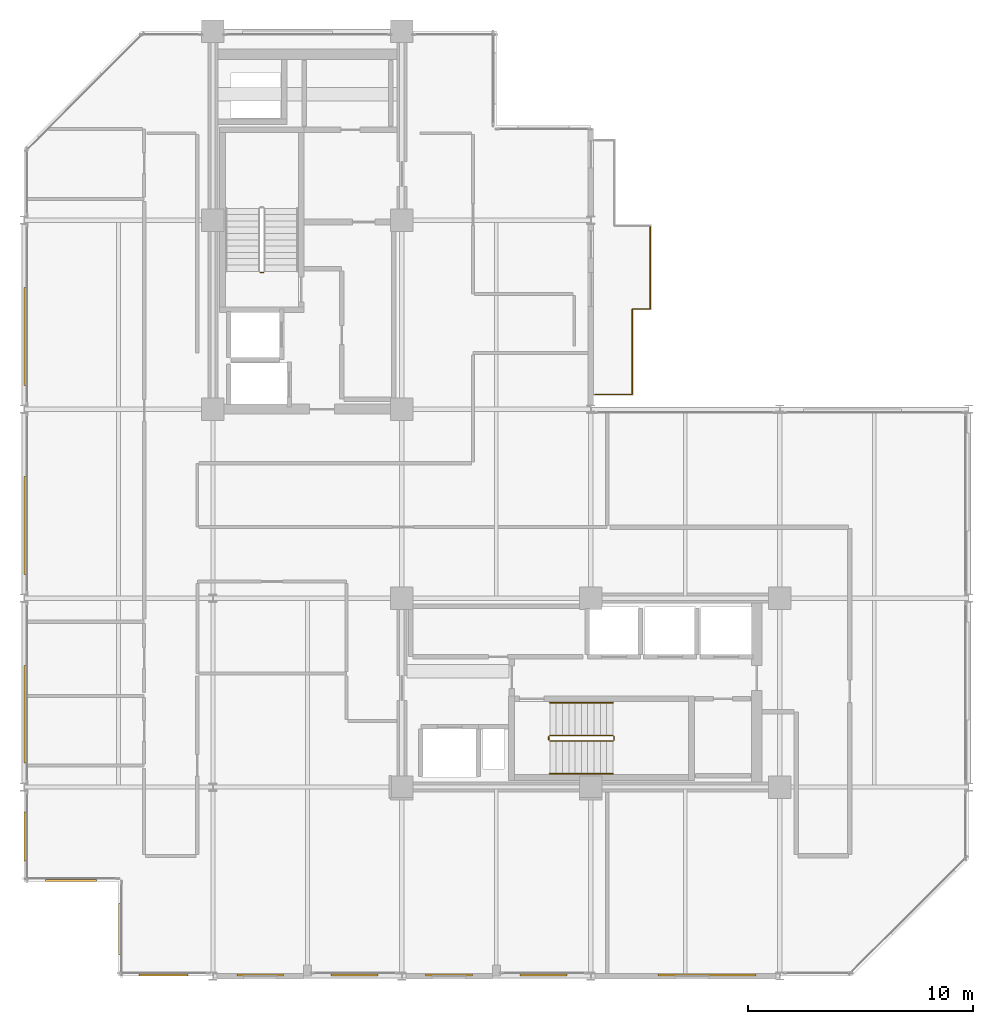
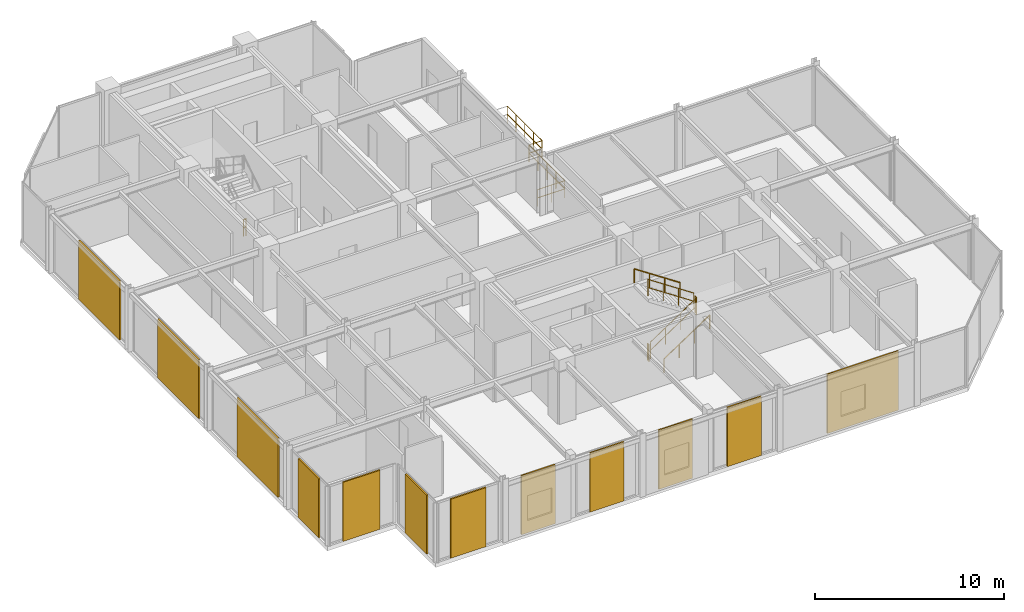
# One storey, part 23 of 25: 12 coverings, 11 railings.
"""IFC4 building model written with IfcOpenShell, lengths in metres."""

from ifc_helpers import new_model, si_unit, direction, frame, origin, origin_2d, place, context, subcontext, project, spatial, rectangle, circle, extrude, material, layer, layer_set, type_object, element, save


model = new_model("IFC4")

# Units and contexts
model_context = context("Model", 3, precision=1e-05, world=origin(), true_north=direction((0.0, 1.0)))
body_context = subcontext(model_context, "Body", "Model", "MODEL_VIEW")
ifc_project = project(units=[si_unit("LENGTHUNIT", "METRE"), si_unit("AREAUNIT", "SQUARE_METRE"), si_unit("VOLUMEUNIT", "CUBIC_METRE"), si_unit("PLANEANGLEUNIT", "RADIAN"), si_unit("MASSUNIT", "GRAM", prefix="KILO")], contexts=[model_context])

# Site, building, storey
site_placement = place(None, origin())
site = spatial("IfcSite", under=ifc_project, at=site_placement, CompositionType="ELEMENT")
building_placement = place(site_placement, origin())
building = spatial("IfcBuilding", under=site, at=building_placement, Name="Nerrivon Quay Data Exchange", CompositionType="ELEMENT")
storey_placement = place(building_placement, frame((0.0, 0.0, 237.0)))
storey = spatial("IfcBuildingStorey", under=building, at=storey_placement, Name="L56", CompositionType="ELEMENT", Elevation=237.0)

# Coverings
ifc_material_1 = material(Name="Architectural terracotta ceramic", Category="masonry")
ifc_layer = layer(ifc_material_1, 0.090087890625)
ifc_layer_set = layer_set([ifc_layer], Name="Architectural terracotta ceramic")
covering_type = type_object("IfcCoveringType", Name="COV-SCR-TERR", PredefinedType="CLADDING", material=ifc_layer_set)
covering_1_placement = place(storey_placement, frame((30.365966796875, 0.044921875, 0.0), z_axis=(0.0, 0.0, 1.0), x_axis=(-1.0, 0.0, 0.0)))
element("IfcCovering", 1, at=covering_1_placement, inside=storey, type_object=covering_type, Name="L56 Perforated Terracotta SOLAR SCREEN Cassette", PredefinedType="CLADDING", context=body_context, shape_type="SweptSolid", body=[
    extrude(rectangle(XDim=4.346923828125, YDim=0.090087890625, at=origin_2d()), origin(), (0.0, 0.0, 1.0), 3.824951171875),
])
for number, where, z_axis, x_axis, name in (
    (2, (23.10009765625, 0.044921875, 0.0), (0.0, 0.0, 1.0), (-1.0, 0.0, 0.0), "L56 Perforated Terracotta SOLAR SCREEN Cassette"),
    (3, (18.89990234375, 0.044921875, 0.0), (0.0, 0.0, 1.0), (-1.0, 0.0, 0.0), "L56 Perforated Terracotta SOLAR SCREEN Cassette"),
    (4, (14.699951171875, 0.044921875, 0.0), (0.0, 0.0, 1.0), (-1.0, 0.0, 0.0), "L56 Perforated Terracotta SOLAR SCREEN Cassette"),
    (5, (10.5, 0.044921875, 0.0), (0.0, 0.0, 1.0), (-1.0, 0.0, 0.0), "L56 Perforated Terracotta SOLAR SCREEN Cassette"),
):
    element("IfcCovering", number, at=place(storey_placement, frame(where, z_axis=z_axis, x_axis=x_axis)), inside=storey, type_object=covering_type, Name=name, PredefinedType="CLADDING", context=body_context, shape_type="SweptSolid", body=[
        extrude(rectangle(XDim=2.0791015625, YDim=0.090087890625, at=origin_2d()), origin(), (0.0, 0.0, 1.0), 3.824951171875),
    ])
covering_2_placement = place(storey_placement, frame((6.21240234375, 0.044921875, 0.0), z_axis=(0.0, 0.0, 1.0), x_axis=(-1.0, 0.0, 0.0)))
element("IfcCovering", 6, at=covering_2_placement, inside=storey, type_object=covering_type, Name="L56 Perforated Terracotta SOLAR SCREEN Cassette", PredefinedType="CLADDING", context=body_context, shape_type="SweptSolid", body=[
    extrude(rectangle(XDim=2.173095703125, YDim=0.090087890625, at=origin_2d()), origin(), (0.0, 0.0, 1.0), 3.824951171875),
])
for number, where, z_axis, x_axis, name in (
    (7, (4.2451171875, 2.10009765625, 0.0), (0.0, 0.0, 1.0), (0.0, 1.0, 0.0), "L56 Perforated Terracotta SOLAR SCREEN Cassette"),
    (8, (2.10009765625, 4.2451171875, 0.0), (0.0, 0.0, 1.0), (-1.0, 0.0, 0.0), "L56 Perforated Terracotta SOLAR SCREEN Cassette"),
):
    element("IfcCovering", number, at=place(storey_placement, frame(where, z_axis=z_axis, x_axis=x_axis)), inside=storey, type_object=covering_type, Name=name, PredefinedType="CLADDING", context=body_context, shape_type="SweptSolid", body=[
        extrude(rectangle(XDim=2.26806640625, YDim=0.090087890625, at=origin_2d()), origin(), (0.0, 0.0, 1.0), 3.824951171875),
    ])
covering_3_placement = place(storey_placement, frame((0.044921875, 6.21240234375, 0.0), z_axis=(0.0, 0.0, 1.0), x_axis=(0.0, 1.0, 0.0)))
element("IfcCovering", 9, at=covering_3_placement, inside=storey, type_object=covering_type, Name="L56 Perforated Terracotta SOLAR SCREEN Cassette", PredefinedType="CLADDING", context=body_context, shape_type="SweptSolid", body=[
    extrude(rectangle(XDim=2.173095703125, YDim=0.090087890625, at=origin_2d()), origin(), (0.0, 0.0, 1.0), 3.824951171875),
])
for number, where, z_axis, x_axis, name in (
    (10, (0.044921875, 11.634033203125, 0.0), (0.0, 0.0, 1.0), (0.0, 1.0, 0.0), "L56 Perforated Terracotta SOLAR SCREEN Cassette"),
    (11, (0.044921875, 20.033935546875, 0.0), (0.0, 0.0, 1.0), (0.0, 1.0, 0.0), "L56 Perforated Terracotta SOLAR SCREEN Cassette"),
    (12, (0.044921875, 28.43408203125, 0.0), (0.0, 0.0, 1.0), (0.0, 1.0, 0.0), "L56 Perforated Terracotta SOLAR SCREEN Cassette"),
):
    element("IfcCovering", number, at=place(storey_placement, frame(where, z_axis=z_axis, x_axis=x_axis)), inside=storey, type_object=covering_type, Name=name, PredefinedType="CLADDING", context=body_context, shape_type="SweptSolid", body=[
        extrude(rectangle(XDim=4.346923828125, YDim=0.090087890625, at=origin_2d()), origin(), (0.0, 0.0, 1.0), 3.824951171875),
    ])

# Railings
ifc_material_2 = material(Name="Steel Grade C350L0 (350 MPa)", Category="steel")
railing_type_1 = type_object("IfcRailingType", Name="RAIL-GUARD-GR2", PredefinedType="BALUSTRADE", material=ifc_material_2)
railing_1_placement = place(storey_placement, frame((27.0400390625, 29.659912109375, 0.0)))
element("IfcRailing", 13, at=railing_1_placement, inside=storey, type_object=railing_type_1, Name="L56 Verandah Balcony Guard 1.1 1", PredefinedType="BALUSTRADE", context=body_context, shape_type="SweptSolid", body=[
    extrude(circle(Radius=0.02392578125, at=origin_2d()), frame((0.0, 0.0, 1.09619140625), z_axis=(0.0, -1.0, 0.0), x_axis=(1.0, 0.0, 0.0)), (0.0, 0.0, 1.0), 3.7998046875),
    extrude(circle(Radius=0.02392578125, at=origin_2d()), frame((0.0, 0.0, 0.56005859375), z_axis=(0.0, -1.0, 0.0), x_axis=(1.0, 0.0, 0.0)), (0.0, 0.0, 1.0), 3.7998046875),
    extrude(circle(Radius=0.02099609375, at=origin_2d()), origin(), (0.0, 0.0, 1.0), 1.072021484375),
    extrude(circle(Radius=0.02099609375, at=origin_2d()), frame((0.0, -0.949951171875, 0.0)), (0.0, 0.0, 1.0), 1.072021484375),
    extrude(circle(Radius=0.02099609375, at=origin_2d()), frame((0.0, -1.89990234375, 0.0)), (0.0, 0.0, 1.0), 1.072021484375),
    extrude(circle(Radius=0.02099609375, at=origin_2d()), frame((0.0, -2.849853515625, 0.0)), (0.0, 0.0, 1.0), 1.072021484375),
    extrude(circle(Radius=0.02099609375, at=origin_2d()), frame((0.0, -3.7998046875, 0.0)), (0.0, 0.0, 1.0), 1.072021484375),
])
railing_2_placement = place(storey_placement, frame((27.0400390625, 25.860107421875, 0.0)))
element("IfcRailing", 14, at=railing_2_placement, inside=storey, type_object=railing_type_1, Name="L56 Verandah Balcony Guard 1.2 1", PredefinedType="BALUSTRADE", context=body_context, shape_type="SweptSolid", body=[
    extrude(circle(Radius=0.02392578125, at=origin_2d()), frame((0.0, 0.0, 1.09619140625), z_axis=(-1.0, 0.0, 0.0), x_axis=(0.0, -1.0, 0.0)), (0.0, 0.0, 1.0), 1.66015625),
    extrude(circle(Radius=0.02392578125, at=origin_2d()), frame((0.0, 0.0, 0.56005859375), z_axis=(-1.0, 0.0, 0.0), x_axis=(0.0, -1.0, 0.0)), (0.0, 0.0, 1.0), 1.66015625),
    extrude(circle(Radius=0.02099609375, at=origin_2d()), origin(), (0.0, 0.0, 1.0), 1.072021484375),
    extrude(circle(Radius=0.02099609375, at=origin_2d()), frame((-0.830078125, 0.0, 0.0)), (0.0, 0.0, 1.0), 1.072021484375),
    extrude(circle(Radius=0.02099609375, at=origin_2d()), frame((-1.66015625, 0.0, 0.0)), (0.0, 0.0, 1.0), 1.072021484375),
])
railing_3_placement = place(storey_placement, frame((27.840087890625, 33.340087890625, 0.0)))
element("IfcRailing", 15, at=railing_3_placement, inside=storey, type_object=railing_type_1, Name="L56 Verandah Balcony Guard 1.6 1", PredefinedType="BALUSTRADE", context=body_context, shape_type="SweptSolid", body=[
    extrude(circle(Radius=0.02392578125, at=origin_2d()), frame((0.0, 0.0, 1.09619140625), z_axis=(0.0, -1.0, 0.0), x_axis=(1.0, 0.0, 0.0)), (0.0, 0.0, 1.0), 3.68017578125),
    extrude(circle(Radius=0.02392578125, at=origin_2d()), frame((0.0, 0.0, 0.56005859375), z_axis=(0.0, -1.0, 0.0), x_axis=(1.0, 0.0, 0.0)), (0.0, 0.0, 1.0), 3.68017578125),
    extrude(circle(Radius=0.02099609375, at=origin_2d()), origin(), (0.0, 0.0, 1.0), 1.072021484375),
    extrude(circle(Radius=0.02099609375, at=origin_2d()), frame((0.0, -0.919921875, 0.0)), (0.0, 0.0, 1.0), 1.072021484375),
    extrude(circle(Radius=0.02099609375, at=origin_2d()), frame((0.0, -1.840087890625, 0.0)), (0.0, 0.0, 1.0), 1.072021484375),
    extrude(circle(Radius=0.02099609375, at=origin_2d()), frame((0.0, -2.76025390625, 0.0)), (0.0, 0.0, 1.0), 1.072021484375),
    extrude(circle(Radius=0.02099609375, at=origin_2d()), frame((0.0, -3.68017578125, 0.0)), (0.0, 0.0, 1.0), 1.072021484375),
])
railing_4_placement = place(storey_placement, frame((27.840087890625, 29.659912109375, 0.0)))
element("IfcRailing", 16, at=railing_4_placement, inside=storey, type_object=railing_type_1, Name="L56 Verandah Balcony Guard 1.7 1", PredefinedType="BALUSTRADE", context=body_context, shape_type="SweptSolid", body=[
    extrude(circle(Radius=0.02392578125, at=origin_2d()), frame((0.0, 0.0, 1.09619140625), z_axis=(-1.0, 0.0, 0.0), x_axis=(0.0, -1.0, 0.0)), (0.0, 0.0, 1.0), 0.800048828125),
    extrude(circle(Radius=0.02392578125, at=origin_2d()), frame((0.0, 0.0, 0.56005859375), z_axis=(-1.0, 0.0, 0.0), x_axis=(0.0, -1.0, 0.0)), (0.0, 0.0, 1.0), 0.800048828125),
    extrude(circle(Radius=0.02099609375, at=origin_2d()), origin(), (0.0, 0.0, 1.0), 1.072021484375),
    extrude(circle(Radius=0.02099609375, at=origin_2d()), frame((-0.800048828125, 0.0, 0.0)), (0.0, 0.0, 1.0), 1.072021484375),
])
railing_type_2 = type_object("IfcRailingType", Name="RAIL-HAND-HR1", PredefinedType="HANDRAIL", material=ifc_material_2)
railing_5_placement = place(storey_placement, frame((23.3798828125, 9.0, 0.186279296875)))
element("IfcRailing", 17, at=railing_5_placement, inside=storey, type_object=railing_type_2, Name="L56 ST02 stair handrail 1", PredefinedType="HANDRAIL", context=body_context, shape_type="SweptSolid", body=[
    extrude(circle(Radius=0.02392578125, at=origin_2d()), frame((0.0, 0.0, 0.8759765625), z_axis=(0.832452072856, 0.0, 0.554097055034), x_axis=(0.0, 1.0, 0.0)), (0.0, 0.0, 1.0), 3.363525390625),
    extrude(circle(Radius=0.02099609375, at=origin_2d()), origin(), (0.0, 0.0, 1.0), 0.851806640625),
    extrude(circle(Radius=0.02099609375, at=origin_2d()), frame((0.933349609375, 0.0, 0.621337890625)), (0.0, 0.0, 1.0), 0.851806640625),
    extrude(circle(Radius=0.02099609375, at=origin_2d()), frame((1.86669921875, 0.0, 1.242431640625)), (0.0, 0.0, 1.0), 0.851806640625),
    extrude(circle(Radius=0.02099609375, at=origin_2d()), frame((2.800048828125, 0.0, 1.86376953125)), (0.0, 0.0, 1.0), 0.851806640625),
])
railing_6_placement = place(storey_placement, frame((26.179931640625, 12.14990234375, 2.236328125)))
element("IfcRailing", 18, at=railing_6_placement, inside=storey, type_object=railing_type_2, Name="L56 ST02 stair handrail 2", PredefinedType="HANDRAIL", context=body_context, shape_type="SweptSolid", body=[
    extrude(circle(Radius=0.02392578125, at=origin_2d()), frame((0.0, 0.0, 0.8759765625), z_axis=(-0.832452072856, 0.0, 0.554097055034), x_axis=(0.0, -1.0, 0.0)), (0.0, 0.0, 1.0), 3.363525390625),
    extrude(circle(Radius=0.02099609375, at=origin_2d()), origin(), (0.0, 0.0, 1.0), 0.851806640625),
    extrude(circle(Radius=0.02099609375, at=origin_2d()), frame((-0.933349609375, 0.0, 0.621337890625)), (0.0, 0.0, 1.0), 0.851806640625),
    extrude(circle(Radius=0.02099609375, at=origin_2d()), frame((-1.86669921875, 0.0, 1.242431640625)), (0.0, 0.0, 1.0), 0.851806640625),
    extrude(circle(Radius=0.02099609375, at=origin_2d()), frame((-2.800048828125, 0.0, 1.86376953125)), (0.0, 0.0, 1.0), 0.851806640625),
])
railing_type_3 = type_object("IfcRailingType", Name="RAIL-STAIR-GR1", PredefinedType="BALUSTRADE", material=ifc_material_2)
railing_7_placement = place(storey_placement, frame((10.64990234375, 31.280029296875, 0.0)))
element("IfcRailing", 19, at=railing_7_placement, inside=storey, type_object=railing_type_3, Name="L56 ST01 stair guard 4", PredefinedType="BALUSTRADE", context=body_context, shape_type="SweptSolid", body=[
    extrude(circle(Radius=0.02392578125, at=origin_2d()), frame((0.0, 0.0, 1.076171875), z_axis=(-1.0, 0.0, 0.0), x_axis=(0.0, -1.0, 0.0)), (0.0, 0.0, 1.0), 0.14990234375),
    extrude(circle(Radius=0.02392578125, at=origin_2d()), frame((0.0, 0.0, 0.550048828125), z_axis=(-1.0, 0.0, 0.0), x_axis=(0.0, -1.0, 0.0)), (0.0, 0.0, 1.0), 0.14990234375),
    extrude(circle(Radius=0.02099609375, at=origin_2d()), origin(), (0.0, 0.0, 1.0), 1.052001953125),
    extrude(circle(Radius=0.02099609375, at=origin_2d()), frame((-0.14990234375, 0.0, 0.0)), (0.0, 0.0, 1.0), 1.052001953125),
])
railing_8_placement = place(storey_placement, frame((23.3798828125, 10.449951171875, 0.186279296875)))
element("IfcRailing", 20, at=railing_8_placement, inside=storey, type_object=railing_type_3, Name="L56 ST02 stair guard 1", PredefinedType="BALUSTRADE", context=body_context, shape_type="SweptSolid", body=[
    extrude(circle(Radius=0.02392578125, at=origin_2d()), frame((0.0, 0.0, 1.076171875), z_axis=(0.832452072856, 0.0, 0.554097055034), x_axis=(0.0, 1.0, 0.0)), (0.0, 0.0, 1.0), 3.363525390625),
    extrude(circle(Radius=0.02392578125, at=origin_2d()), frame((0.0, 0.0, 0.550048828125), z_axis=(0.832452072856, 0.0, 0.554097055034), x_axis=(0.0, 1.0, 0.0)), (0.0, 0.0, 1.0), 3.363525390625),
    extrude(circle(Radius=0.02099609375, at=origin_2d()), origin(), (0.0, 0.0, 1.0), 1.052001953125),
    extrude(circle(Radius=0.02099609375, at=origin_2d()), frame((0.933349609375, 0.0, 0.621337890625)), (0.0, 0.0, 1.0), 1.052001953125),
    extrude(circle(Radius=0.02099609375, at=origin_2d()), frame((1.86669921875, 0.0, 1.242431640625)), (0.0, 0.0, 1.0), 1.052001953125),
    extrude(circle(Radius=0.02099609375, at=origin_2d()), frame((2.800048828125, 0.0, 1.86376953125)), (0.0, 0.0, 1.0), 1.052001953125),
])
railing_9_placement = place(storey_placement, frame((26.22998046875, 10.5, 2.050048828125)))
element("IfcRailing", 21, at=railing_9_placement, inside=storey, type_object=railing_type_3, Name="L56 ST02 stair guard 2", PredefinedType="BALUSTRADE", context=body_context, shape_type="SweptSolid", body=[
    extrude(circle(Radius=0.02392578125, at=origin_2d()), frame((0.0, 0.0, 1.076171875), z_axis=(0.0, 1.0, 0.0), x_axis=(-1.0, 0.0, 0.0)), (0.0, 0.0, 1.0), 0.14990234375),
    extrude(circle(Radius=0.02392578125, at=origin_2d()), frame((0.0, 0.0, 0.550048828125), z_axis=(0.0, 1.0, 0.0), x_axis=(-1.0, 0.0, 0.0)), (0.0, 0.0, 1.0), 0.14990234375),
    extrude(circle(Radius=0.02099609375, at=origin_2d()), origin(), (0.0, 0.0, 1.0), 1.052001953125),
    extrude(circle(Radius=0.02099609375, at=origin_2d()), frame((0.0, 0.14990234375, 0.0)), (0.0, 0.0, 1.0), 1.052001953125),
])
railing_10_placement = place(storey_placement, frame((26.179931640625, 10.699951171875, 2.236328125)))
element("IfcRailing", 22, at=railing_10_placement, inside=storey, type_object=railing_type_3, Name="L56 ST02 stair guard 3", PredefinedType="BALUSTRADE", context=body_context, shape_type="SweptSolid", body=[
    extrude(circle(Radius=0.02392578125, at=origin_2d()), frame((0.0, 0.0, 1.076171875), z_axis=(-0.832452072856, 0.0, 0.554097055034), x_axis=(0.0, -1.0, 0.0)), (0.0, 0.0, 1.0), 3.363525390625),
    extrude(circle(Radius=0.02392578125, at=origin_2d()), frame((0.0, 0.0, 0.550048828125), z_axis=(-0.832452072856, 0.0, 0.554097055034), x_axis=(0.0, -1.0, 0.0)), (0.0, 0.0, 1.0), 3.363525390625),
    extrude(circle(Radius=0.02099609375, at=origin_2d()), origin(), (0.0, 0.0, 1.0), 1.052001953125),
    extrude(circle(Radius=0.02099609375, at=origin_2d()), frame((-0.933349609375, 0.0, 0.621337890625)), (0.0, 0.0, 1.0), 1.052001953125),
    extrude(circle(Radius=0.02099609375, at=origin_2d()), frame((-1.86669921875, 0.0, 1.242431640625)), (0.0, 0.0, 1.0), 1.052001953125),
    extrude(circle(Radius=0.02099609375, at=origin_2d()), frame((-2.800048828125, 0.0, 1.86376953125)), (0.0, 0.0, 1.0), 1.052001953125),
])
railing_11_placement = place(storey_placement, frame((23.330078125, 10.5, 0.0)))
element("IfcRailing", 23, at=railing_11_placement, inside=storey, type_object=railing_type_3, Name="L56 ST02 stair guard 4", PredefinedType="BALUSTRADE", context=body_context, shape_type="SweptSolid", body=[
    extrude(circle(Radius=0.02392578125, at=origin_2d()), frame((0.0, 0.0, 1.076171875), z_axis=(0.0, 1.0, 0.0), x_axis=(-1.0, 0.0, 0.0)), (0.0, 0.0, 1.0), 0.14990234375),
    extrude(circle(Radius=0.02392578125, at=origin_2d()), frame((0.0, 0.0, 0.550048828125), z_axis=(0.0, 1.0, 0.0), x_axis=(-1.0, 0.0, 0.0)), (0.0, 0.0, 1.0), 0.14990234375),
    extrude(circle(Radius=0.02099609375, at=origin_2d()), origin(), (0.0, 0.0, 1.0), 1.052001953125),
    extrude(circle(Radius=0.02099609375, at=origin_2d()), frame((0.0, 0.14990234375, 0.0)), (0.0, 0.0, 1.0), 1.052001953125),
])

save(model, "model.ifc")
